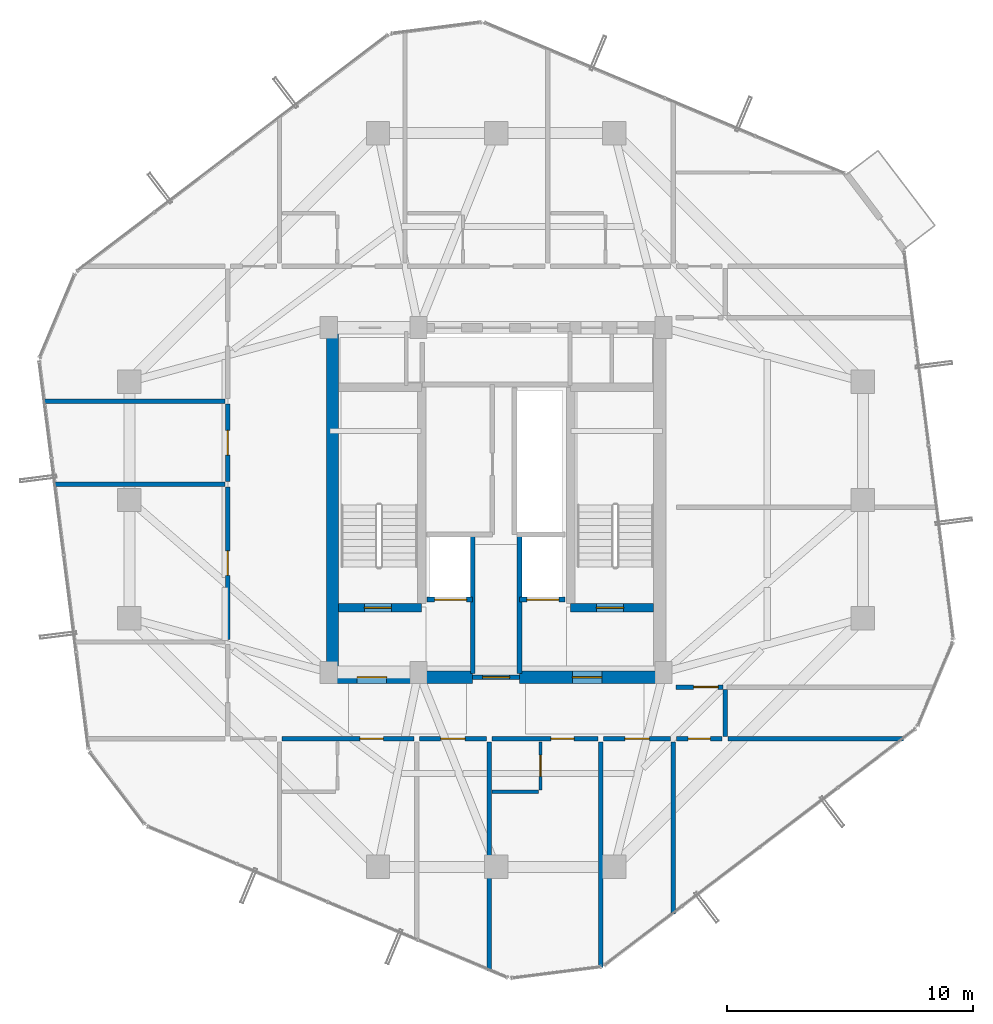
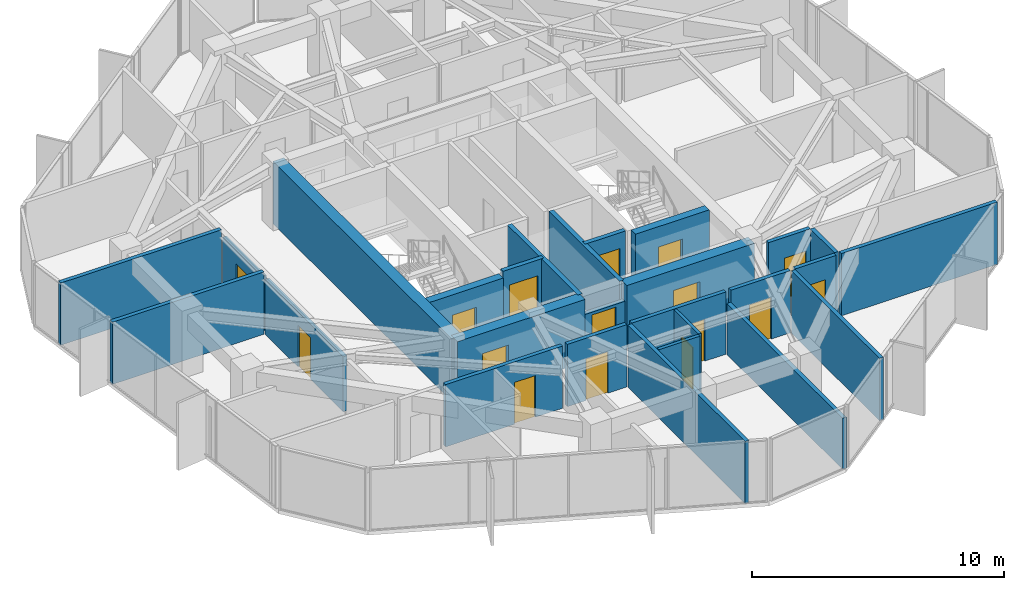
# One storey, part 28 of 32: 27 walls, 16 doors, 16 openings.
"""IFC4 building model written with IfcOpenShell, lengths in metres."""

from ifc_helpers import new_model, si_unit, direction, frame, frame_2d, origin, place, context, subcontext, project, spatial, rectangle, extrude, source, transform, mapped, material, layer, layer_set, type_object, element, fill, save


model = new_model("IFC4")

# Units and contexts
model_context = context("Model", 3, precision=1e-05, world=origin(), true_north=direction((0.0, 1.0)))
body_context = subcontext(model_context, "Body", "Model", "MODEL_VIEW")
ifc_project = project(units=[si_unit("LENGTHUNIT", "METRE"), si_unit("AREAUNIT", "SQUARE_METRE"), si_unit("VOLUMEUNIT", "CUBIC_METRE"), si_unit("PLANEANGLEUNIT", "RADIAN"), si_unit("MASSUNIT", "GRAM", prefix="KILO")], contexts=[model_context])

# Site, building, storey
site_placement = place(None, origin())
site = spatial("IfcSite", under=ifc_project, at=site_placement, CompositionType="ELEMENT")
building_placement = place(site_placement, origin())
building = spatial("IfcBuilding", under=site, at=building_placement, Name="Veraguas Prism Commons", CompositionType="ELEMENT")
storey_placement = place(building_placement, frame((0.0, 0.0, 182.10009765625)))
storey = spatial("IfcBuildingStorey", under=building, at=storey_placement, Name="L51", CompositionType="ELEMENT", Elevation=182.10009765625)

# Wall, opening, door
ifc_material_1 = material(Name="Concrete C50/60", Category="concrete")
ifc_layer_1 = layer(ifc_material_1, 0.35009765625, Name="Core Internal Shear Wall Upper RC 350", Category="concrete")
ifc_layer_set_1 = layer_set([ifc_layer_1], Name="Concrete C50/60")
wall_type_1 = type_object("IfcWallType", Name="Core Internal Shear Wall Upper RC 350", PredefinedType="SHEAR", material=ifc_layer_set_1)
wall_1_placement = place(storey_placement, frame((17.60009765625, 19.625, 0.0), z_axis=(0.0, 0.0, 1.0), x_axis=(1.0, 0.0, 0.0)))
wall_1 = element("IfcWall", 1, at=wall_1_placement, inside=storey, type_object=wall_type_1, Name="Stair ST-01 South Shear Wall L51", PredefinedType="SHEAR", context=body_context, shape_type="SweptSolid", body=[
    extrude(rectangle(XDim=3.375, YDim=0.35009765625, at=frame_2d((1.6875, 0.0))), origin(), (0.0, 0.0, 1.0), 3.014892578125),
])
opening_1_placement = place(wall_1_placement, frame((1.050048828125, 0.0, 0.0)))
opening_1 = element("IfcOpeningElement", 2, at=opening_1_placement, cuts=wall_1, Name="Opening DR-05", PredefinedType="OPENING", context=body_context, shape_type="SweptSolid", body=[
    extrude(rectangle(XDim=1.10009765625, YDim=2.030029296875, at=frame_2d((0.550048828125, 1.01513671875))), frame((0.0, 0.18505859375, 0.0), z_axis=(0.0, -1.0, 0.0), x_axis=(1.0, 0.0, 0.0)), (0.0, 0.0, 1.0), 0.3701171875),
])
ifc_material_2 = material(Name="Steel fire-rated door assembly", Category="steel")
door_type_1 = type_object("IfcDoorType", Name="Protected Stair and Refuge Fire Door 1100x2030", OperationType="NOTDEFINED", PredefinedType="DOOR", material=ifc_material_2)
shared_shape_1 = source(origin(), body_context, "Body", "SweptSolid", [
    extrude(rectangle(XDim=1.10009765625, YDim=2.030029296875, at=frame_2d((0.550048828125, 1.01513671875))), frame((0.0, 0.02490234375, 0.0), z_axis=(0.0, -1.0, 0.0), x_axis=(1.0, 0.0, 0.0)), (0.0, 0.0, 1.0), 0.050048828125),
])
door_1_placement = place(opening_1_placement, origin())
door_1 = element("IfcDoor", 3, at=door_1_placement, inside=storey, type_object=door_type_1, Name="Stair ST-01 Enclosure Door L51", OperationType="SINGLE_SWING_LEFT", OverallHeight=2.030029296875, OverallWidth=1.10009765625, PredefinedType="DOOR", context=body_context, shape_type="MappedRepresentation", body=[
    mapped(shared_shape_1, transform((0.0, 0.0, 0.0), scale=1.0)),
])
fill(opening_1, door_1)

wall_2_placement = place(storey_placement, frame((27.02490234375, 19.625, 0.0), z_axis=(0.0, 0.0, 1.0), x_axis=(1.0, 0.0, 0.0)))
wall_2 = element("IfcWall", 4, at=wall_2_placement, inside=storey, type_object=wall_type_1, Name="Stair ST-02 South Shear Wall L51", PredefinedType="SHEAR", context=body_context, shape_type="SweptSolid", body=[
    extrude(rectangle(XDim=3.375, YDim=0.35009765625, at=frame_2d((1.6875, 0.0))), origin(), (0.0, 0.0, 1.0), 3.014892578125),
])
opening_2_placement = place(wall_2_placement, frame((1.050048828125, 0.0, 0.0)))
opening_2 = element("IfcOpeningElement", 5, at=opening_2_placement, cuts=wall_2, Name="Opening DR-05", PredefinedType="OPENING", context=body_context, shape_type="SweptSolid", body=[
    extrude(rectangle(XDim=1.10009765625, YDim=2.030029296875, at=frame_2d((0.550048828125, 1.01513671875))), frame((0.0, 0.18505859375, 0.0), z_axis=(0.0, -1.0, 0.0), x_axis=(1.0, 0.0, 0.0)), (0.0, 0.0, 1.0), 0.3701171875),
])
door_2_placement = place(opening_2_placement, origin())
door_2 = element("IfcDoor", 6, at=door_2_placement, inside=storey, type_object=door_type_1, Name="Stair ST-02 Enclosure Door L51", OperationType="SINGLE_SWING_RIGHT", OverallHeight=2.030029296875, OverallWidth=1.10009765625, PredefinedType="DOOR", context=body_context, shape_type="MappedRepresentation", body=[
    mapped(shared_shape_1, transform((0.0, 0.0, 0.0), scale=1.0)),
])
fill(opening_2, door_2)

# Wall
ifc_layer_2 = layer(ifc_material_1, 0.5, Name="Core Outer Shear Wall Upper RC 500", Category="concrete")
ifc_layer_set_2 = layer_set([ifc_layer_2], Name="Concrete C50/60")
wall_type_2 = type_object("IfcWallType", Name="Core Outer Shear Wall Upper RC 500", PredefinedType="SHEAR", material=ifc_layer_set_2)
wall_3_placement = place(storey_placement, frame((17.35009765625, 16.800048828125, 0.0), z_axis=(0.0, 0.0, 1.0), x_axis=(0.0, 1.0, 0.0)))
element("IfcWall", 7, at=wall_3_placement, inside=storey, type_object=wall_type_2, Name="Central Core West Shear Wall L51", PredefinedType="SHEAR", context=body_context, shape_type="SweptSolid", body=[
    extrude(rectangle(XDim=14.199951171875, YDim=0.5, at=frame_2d((7.10009765625, 0.0))), origin(), (0.0, 0.0, 1.0), 3.014892578125),
])

# Wall, opening, door
wall_4_placement = place(storey_placement, frame((17.199951171875, 16.800048828125, 0.0), z_axis=(0.0, 0.0, 1.0), x_axis=(1.0, 0.0, 0.0)))
wall_4 = element("IfcWall", 8, at=wall_4_placement, inside=storey, type_object=wall_type_2, Name="Central Core South-West Shear Wall L51", PredefinedType="SHEAR", context=body_context, shape_type="SweptSolid", body=[
    extrude(rectangle(XDim=5.85009765625, YDim=0.5, at=frame_2d((2.925048828125, 0.0))), origin(), (0.0, 0.0, 1.0), 3.014892578125),
])
opening_3_placement = place(wall_4_placement, frame((1.14990234375, 0.0, 0.0)))
opening_3 = element("IfcOpeningElement", 9, at=opening_3_placement, cuts=wall_4, Name="Opening DR-06", PredefinedType="OPENING", context=body_context, shape_type="SweptSolid", body=[
    extrude(rectangle(XDim=1.199951171875, YDim=2.030029296875, at=frame_2d((0.60009765625, 1.01513671875))), frame((0.0, 0.260009765625, 0.0), z_axis=(0.0, -1.0, 0.0), x_axis=(1.0, 0.0, 0.0)), (0.0, 0.0, 1.0), 0.52001953125),
])
door_type_2 = type_object("IfcDoorType", Name="Firefighting Lobby Smoke Door 1200x2030", OperationType="NOTDEFINED", PredefinedType="DOOR", material=ifc_material_2)
shared_shape_2 = source(origin(), body_context, "Body", "SweptSolid", [
    extrude(rectangle(XDim=1.199951171875, YDim=2.030029296875, at=frame_2d((0.60009765625, 1.01513671875))), frame((0.0, 0.02490234375, 0.0), z_axis=(0.0, -1.0, 0.0), x_axis=(1.0, 0.0, 0.0)), (0.0, 0.0, 1.0), 0.050048828125),
])
door_3_placement = place(opening_3_placement, origin())
door_3 = element("IfcDoor", 10, at=door_3_placement, inside=storey, type_object=door_type_2, Name="West FF Lobby Door L51", OperationType="SINGLE_SWING_LEFT", OverallHeight=2.030029296875, OverallWidth=1.199951171875, PredefinedType="DOOR", context=body_context, shape_type="MappedRepresentation", body=[
    mapped(shared_shape_2, transform((0.0, 0.0, 0.0), scale=1.0)),
])
fill(opening_3, door_3)

wall_5_placement = place(storey_placement, frame((24.949951171875, 16.800048828125, 0.0), z_axis=(0.0, 0.0, 1.0), x_axis=(1.0, 0.0, 0.0)))
wall_5 = element("IfcWall", 11, at=wall_5_placement, inside=storey, type_object=wall_type_2, Name="Central Core South-East Shear Wall L51", PredefinedType="SHEAR", context=body_context, shape_type="SweptSolid", body=[
    extrude(rectangle(XDim=5.85009765625, YDim=0.5, at=frame_2d((2.925048828125, 0.0))), origin(), (0.0, 0.0, 1.0), 3.014892578125),
])
opening_4_placement = place(wall_5_placement, frame((2.14990234375, 0.0, 0.0)))
opening_4 = element("IfcOpeningElement", 12, at=opening_4_placement, cuts=wall_5, Name="Opening DR-06", PredefinedType="OPENING", context=body_context, shape_type="SweptSolid", body=[
    extrude(rectangle(XDim=1.199951171875, YDim=2.030029296875, at=frame_2d((0.60009765625, 1.01513671875))), frame((0.0, 0.260009765625, 0.0), z_axis=(0.0, -1.0, 0.0), x_axis=(1.0, 0.0, 0.0)), (0.0, 0.0, 1.0), 0.52001953125),
])
door_4_placement = place(opening_4_placement, origin())
door_4 = element("IfcDoor", 13, at=door_4_placement, inside=storey, type_object=door_type_2, Name="East FF Lobby Door L51", OperationType="SINGLE_SWING_LEFT", OverallHeight=2.030029296875, OverallWidth=1.199951171875, PredefinedType="DOOR", context=body_context, shape_type="MappedRepresentation", body=[
    mapped(shared_shape_2, transform((0.0, 0.0, 0.0), scale=1.0)),
])
fill(opening_4, door_4)

# Wall
ifc_material_3 = material(Name="Autoclaved aerated masonry block 10 MPa", Category="masonry")
ifc_layer_3 = layer(ifc_material_3, 0.179931640625, Name="Corridor and Inter-Tenancy Partition 180", Category="masonry")
ifc_layer_set_3 = layer_set([ifc_layer_3], Name="Autoclaved aerated masonry block 10 MPa")
wall_type_3 = type_object("IfcWallType", Name="Corridor and Inter-Tenancy Partition 180", PredefinedType="PARTITIONING", material=ifc_layer_set_3)
wall_6_placement = place(storey_placement, frame((31.199951171875, 14.179931640625, 0.0), z_axis=(0.0, 0.0, 1.0), x_axis=(0.0, -1.0, 0.0)))
element("IfcWall", 14, at=wall_6_placement, inside=storey, type_object=wall_type_3, Name="WL-L51-PT002", PredefinedType="PARTITIONING", context=body_context, shape_type="SweptSolid", body=[
    extrude(rectangle(XDim=6.99072265625, YDim=0.179931640625, at=frame_2d((3.495361328125, 0.0))), origin(), (0.0, 0.0, 1.0), 3.014892578125),
])

# Wall, opening, door
wall_7_placement = place(storey_placement, frame((20.8798828125, 14.300048828125, 0.0), z_axis=(0.0, 0.0, 1.0), x_axis=(1.0, 0.0, 0.0)))
wall_7 = element("IfcWall", 15, at=wall_7_placement, inside=storey, type_object=wall_type_3, Name="WL-L51-PT003", PredefinedType="PARTITIONING", context=body_context, shape_type="SweptSolid", body=[
    extrude(rectangle(XDim=2.730224609375, YDim=0.179931640625, at=frame_2d((1.365234375, 0.0))), origin(), (0.0, 0.0, 1.0), 3.014892578125),
])
opening_5_placement = place(wall_7_placement, frame((0.864990234375, 0.0, 0.0)))
opening_5 = element("IfcOpeningElement", 16, at=opening_5_placement, cuts=wall_7, Name="Opening DR-13", PredefinedType="OPENING", context=body_context, shape_type="SweptSolid", body=[
    extrude(rectangle(XDim=1.0, YDim=2.010009765625, at=frame_2d((0.5, 1.0048828125))), frame((0.0, 0.099853515625, 0.0), z_axis=(0.0, -1.0, 0.0), x_axis=(1.0, 0.0, 0.0)), (0.0, 0.0, 1.0), 0.199951171875),
])
door_type_3 = type_object("IfcDoorType", Name="Core Accessible WC and Clinic Fire Door 1000x2010", OperationType="NOTDEFINED", PredefinedType="DOOR", material=ifc_material_2)
shared_shape_3 = source(origin(), body_context, "Body", "SweptSolid", [
    extrude(rectangle(XDim=1.0, YDim=2.010009765625, at=frame_2d((0.5, 1.0048828125))), frame((0.0, 0.02490234375, 0.0), z_axis=(0.0, -1.0, 0.0), x_axis=(1.0, 0.0, 0.0)), (0.0, 0.0, 1.0), 0.050048828125),
])
door_5_placement = place(opening_5_placement, origin())
door_5 = element("IfcDoor", 17, at=door_5_placement, inside=storey, type_object=door_type_3, Name="Quiet Study S Door", OperationType="SINGLE_SWING_RIGHT", OverallHeight=2.010009765625, OverallWidth=1.0, PredefinedType="DOOR", context=body_context, shape_type="MappedRepresentation", body=[
    mapped(shared_shape_3, transform((0.0, 0.0, 0.0), scale=1.0)),
])
fill(opening_5, door_5)

wall_8_placement = place(storey_placement, frame((15.31005859375, 14.300048828125, 0.0), z_axis=(0.0, 0.0, 1.0), x_axis=(1.0, 0.0, 0.0)))
wall_8 = element("IfcWall", 18, at=wall_8_placement, inside=storey, type_object=wall_type_3, Name="WL-L51-PT005", PredefinedType="PARTITIONING", context=body_context, shape_type="SweptSolid", body=[
    extrude(rectangle(XDim=5.349853515625, YDim=0.179931640625, at=frame_2d((2.6748046875, 0.0))), origin(), (0.0, 0.0, 1.0), 3.014892578125),
])
opening_6_placement = place(wall_8_placement, frame((3.159912109375, 0.0, 0.0)))
opening_6 = element("IfcOpeningElement", 19, at=opening_6_placement, cuts=wall_8, Name="Opening DR-01", PredefinedType="OPENING", context=body_context, shape_type="SweptSolid", body=[
    extrude(rectangle(XDim=0.949951171875, YDim=2.02001953125, at=frame_2d((0.47509765625, 1.010009765625))), frame((0.0, 0.099853515625, 0.0), z_axis=(0.0, -1.0, 0.0), x_axis=(1.0, 0.0, 0.0)), (0.0, 0.0, 1.0), 0.199951171875),
])
ifc_material_4 = material(Name="Anodised aluminium EN AW-6063 T6", Category="aluminium")
door_type_4 = type_object("IfcDoorType", Name="Apartment Entrance Fire Door 950x2020", OperationType="NOTDEFINED", PredefinedType="DOOR", material=ifc_material_4)
shared_shape_4 = source(origin(), body_context, "Body", "SweptSolid", [
    extrude(rectangle(XDim=0.949951171875, YDim=2.02001953125, at=frame_2d((0.47509765625, 1.010009765625))), frame((0.0, 0.02490234375, 0.0), z_axis=(0.0, -1.0, 0.0), x_axis=(1.0, 0.0, 0.0)), (0.0, 0.0, 1.0), 0.050048828125),
])
door_6_placement = place(opening_6_placement, origin())
door_6 = element("IfcDoor", 20, at=door_6_placement, inside=storey, type_object=door_type_4, Name="Studio 51A Entrance Door", OperationType="SINGLE_SWING_LEFT", OverallHeight=2.02001953125, OverallWidth=0.949951171875, PredefinedType="DOOR", context=body_context, shape_type="MappedRepresentation", body=[
    mapped(shared_shape_4, transform((0.0, 0.0, 0.0), scale=1.0)),
])
fill(opening_6, door_6)

# Wall
wall_9_placement = place(storey_placement, frame((23.719970703125, 14.179931640625, 0.0), z_axis=(0.0, 0.0, 1.0), x_axis=(0.0, -1.0, 0.0)))
element("IfcWall", 21, at=wall_9_placement, inside=storey, type_object=wall_type_3, Name="WL-L51-PT008", PredefinedType="PARTITIONING", context=body_context, shape_type="SweptSolid", body=[
    extrude(rectangle(XDim=9.30078125, YDim=0.179931640625, at=frame_2d((4.650390625, 0.0))), origin(), (0.0, 0.0, 1.0), 3.014892578125),
])

# Wall, opening, door
wall_10_placement = place(storey_placement, frame((28.360107421875, 14.300048828125, 0.0), z_axis=(0.0, 0.0, 1.0), x_axis=(1.0, 0.0, 0.0)))
wall_10 = element("IfcWall", 22, at=wall_10_placement, inside=storey, type_object=wall_type_3, Name="WL-L51-PT009", PredefinedType="PARTITIONING", context=body_context, shape_type="SweptSolid", body=[
    extrude(rectangle(XDim=2.72998046875, YDim=0.179931640625, at=frame_2d((1.364990234375, 0.0))), origin(), (0.0, 0.0, 1.0), 3.014892578125),
])
opening_7_placement = place(wall_10_placement, frame((0.864990234375, 0.0, 0.0)))
opening_7 = element("IfcOpeningElement", 23, at=opening_7_placement, cuts=wall_10, Name="Opening DR-13", PredefinedType="OPENING", context=body_context, shape_type="SweptSolid", body=[
    extrude(rectangle(XDim=1.0, YDim=2.010009765625, at=frame_2d((0.5, 1.0048828125))), frame((0.0, 0.099853515625, 0.0), z_axis=(0.0, -1.0, 0.0), x_axis=(1.0, 0.0, 0.0)), (0.0, 0.0, 1.0), 0.199951171875),
])
door_7_placement = place(opening_7_placement, origin())
door_7 = element("IfcDoor", 24, at=door_7_placement, inside=storey, type_object=door_type_3, Name="Quiet Study S Door", OperationType="SINGLE_SWING_LEFT", OverallHeight=2.010009765625, OverallWidth=1.0, PredefinedType="DOOR", context=body_context, shape_type="MappedRepresentation", body=[
    mapped(shared_shape_3, transform((0.0, 0.0, 0.0), scale=1.0)),
])
fill(opening_7, door_7)

# Wall
wall_11_placement = place(storey_placement, frame((28.25, 14.179931640625, 0.0), z_axis=(0.0, 0.0, 1.0), x_axis=(0.0, -1.0, 0.0)))
element("IfcWall", 25, at=wall_11_placement, inside=storey, type_object=wall_type_3, Name="WL-L51-PT010", PredefinedType="PARTITIONING", context=body_context, shape_type="SweptSolid", body=[
    extrude(rectangle(XDim=9.1689453125, YDim=0.179931640625, at=frame_2d((4.58447265625, 0.0))), origin(), (0.0, 0.0, 1.0), 2.468994140625),
])

# Wall, opening, door
wall_12_placement = place(storey_placement, frame((23.830078125, 14.300048828125, 0.0), z_axis=(0.0, 0.0, 1.0), x_axis=(1.0, 0.0, 0.0)))
wall_12 = element("IfcWall", 26, at=wall_12_placement, inside=storey, type_object=wall_type_3, Name="WL-L51-PT011", PredefinedType="PARTITIONING", context=body_context, shape_type="SweptSolid", body=[
    extrude(rectangle(XDim=4.309814453125, YDim=0.179931640625, at=frame_2d((2.15478515625, 0.0))), origin(), (0.0, 0.0, 1.0), 3.014892578125),
])
opening_8_placement = place(wall_12_placement, frame((2.390380859375, 0.0, 0.0)))
opening_8 = element("IfcOpeningElement", 27, at=opening_8_placement, cuts=wall_12, Name="Opening DR-01", PredefinedType="OPENING", context=body_context, shape_type="SweptSolid", body=[
    extrude(rectangle(XDim=0.949951171875, YDim=2.02001953125, at=frame_2d((0.47509765625, 1.010009765625))), frame((0.0, 0.099853515625, 0.0), z_axis=(0.0, -1.0, 0.0), x_axis=(1.0, 0.0, 0.0)), (0.0, 0.0, 1.0), 0.199951171875),
])
door_8_placement = place(opening_8_placement, origin())
door_8 = element("IfcDoor", 28, at=door_8_placement, inside=storey, type_object=door_type_4, Name="Studio 51B Entrance Door", OperationType="SINGLE_SWING_RIGHT", OverallHeight=2.02001953125, OverallWidth=0.949951171875, PredefinedType="DOOR", context=body_context, shape_type="MappedRepresentation", body=[
    mapped(shared_shape_4, transform((0.0, 0.0, 0.0), scale=1.0)),
])
fill(opening_8, door_8)

wall_13_placement = place(storey_placement, frame((13.10009765625, 18.341064453125, 0.0), z_axis=(0.0, 0.0, 1.0), x_axis=(0.0, 1.0, 0.0)))
wall_13 = element("IfcWall", 29, at=wall_13_placement, inside=storey, type_object=wall_type_3, Name="WL-L51-PT030", PredefinedType="PARTITIONING", context=body_context, shape_type="SweptSolid", body=[
    extrude(rectangle(XDim=6.19287109375, YDim=0.179931640625, at=frame_2d((3.096435546875, 0.0))), origin(), (0.0, 0.0, 1.0), 2.661865234375),
])
opening_9_placement = place(wall_13_placement, frame((2.596435546875, 0.0, 0.0)))
opening_9 = element("IfcOpeningElement", 30, at=opening_9_placement, cuts=wall_13, Name="Opening DR-13", PredefinedType="OPENING", context=body_context, shape_type="SweptSolid", body=[
    extrude(rectangle(XDim=1.0, YDim=2.010009765625, at=frame_2d((0.5, 1.0048828125))), frame((0.0, 0.099853515625, 0.0), z_axis=(0.0, -1.0, 0.0), x_axis=(1.0, 0.0, 0.0)), (0.0, 0.0, 1.0), 0.199951171875),
])
door_9_placement = place(opening_9_placement, origin())
door_9 = element("IfcDoor", 31, at=door_9_placement, inside=storey, type_object=door_type_3, Name="Co-op Store W Door", OperationType="SINGLE_SWING_LEFT", OverallHeight=2.010009765625, OverallWidth=1.0, PredefinedType="DOOR", context=body_context, shape_type="MappedRepresentation", body=[
    mapped(shared_shape_3, transform((0.0, 0.0, 0.0), scale=1.0)),
])
fill(opening_9, door_9)

# Wall
wall_14_placement = place(storey_placement, frame((12.97998046875, 24.64404296875, 0.0), z_axis=(0.0, 0.0, 1.0), x_axis=(-1.0, 0.0, 0.0)))
element("IfcWall", 32, at=wall_14_placement, inside=storey, type_object=wall_type_3, Name="WL-L51-PT032", PredefinedType="PARTITIONING", context=body_context, shape_type="SweptSolid", body=[
    extrude(rectangle(XDim=6.944580078125, YDim=0.179931640625, at=frame_2d((3.47216796875, 0.0))), origin(), (0.0, 0.0, 1.0), 3.014892578125),
])

# Wall, opening, door
wall_15_placement = place(storey_placement, frame((13.10009765625, 24.75390625, 0.0), z_axis=(0.0, 0.0, 1.0), x_axis=(0.0, 1.0, 0.0)))
wall_15 = element("IfcWall", 33, at=wall_15_placement, inside=storey, type_object=wall_type_3, Name="WL-L51-PT033", PredefinedType="PARTITIONING", context=body_context, shape_type="SweptSolid", body=[
    extrude(rectangle(XDim=3.14501953125, YDim=0.179931640625, at=frame_2d((1.572509765625, 0.0))), origin(), (0.0, 0.0, 1.0), 2.661865234375),
])
opening_10_placement = place(wall_15_placement, frame((1.072509765625, 0.0, 0.0)))
opening_10 = element("IfcOpeningElement", 34, at=opening_10_placement, cuts=wall_15, Name="Opening DR-13", PredefinedType="OPENING", context=body_context, shape_type="SweptSolid", body=[
    extrude(rectangle(XDim=1.0, YDim=2.010009765625, at=frame_2d((0.5, 1.0048828125))), frame((0.0, 0.099853515625, 0.0), z_axis=(0.0, -1.0, 0.0), x_axis=(1.0, 0.0, 0.0)), (0.0, 0.0, 1.0), 0.199951171875),
])
door_10_placement = place(opening_10_placement, origin())
door_10 = element("IfcDoor", 35, at=door_10_placement, inside=storey, type_object=door_type_3, Name="Youth Homework Study Room Door", OperationType="SINGLE_SWING_RIGHT", OverallHeight=2.010009765625, OverallWidth=1.0, PredefinedType="DOOR", context=body_context, shape_type="MappedRepresentation", body=[
    mapped(shared_shape_3, transform((0.0, 0.0, 0.0), scale=1.0)),
])
fill(opening_10, door_10)

# Walls
wall_16_placement = place(storey_placement, frame((12.97998046875, 28.009033203125, 0.0), z_axis=(0.0, 0.0, 1.0), x_axis=(-1.0, 0.0, 0.0)))
element("IfcWall", 36, at=wall_16_placement, inside=storey, type_object=wall_type_3, Name="WL-L51-PT035", PredefinedType="PARTITIONING", context=body_context, shape_type="SweptSolid", body=[
    extrude(rectangle(XDim=7.3720703125, YDim=0.179931640625, at=frame_2d((3.68603515625, 0.0))), origin(), (0.0, 0.0, 1.0), 3.014892578125),
])
wall_17_placement = place(storey_placement, frame((33.300048828125, 14.39990234375, 0.0), z_axis=(0.0, 0.0, 1.0), x_axis=(0.0, 1.0, 0.0)))
element("IfcWall", 37, at=wall_17_placement, inside=storey, type_object=wall_type_3, Name="WL-L51-PT037", PredefinedType="PARTITIONING", context=body_context, shape_type="SweptSolid", body=[
    extrude(rectangle(XDim=1.900146484375, YDim=0.179931640625, at=frame_2d((0.9501953125, 0.0))), origin(), (0.0, 0.0, 1.0), 3.014892578125),
])

# Wall, opening, door
wall_18_placement = place(storey_placement, frame((31.300048828125, 16.39990234375, 0.0), z_axis=(0.0, 0.0, 1.0), x_axis=(1.0, 0.0, 0.0)))
wall_18 = element("IfcWall", 38, at=wall_18_placement, inside=storey, type_object=wall_type_3, Name="WL-L51-PT039", PredefinedType="PARTITIONING", context=body_context, shape_type="SweptSolid", body=[
    extrude(rectangle(XDim=1.919921875, YDim=0.179931640625, at=frame_2d((0.9599609375, 0.0))), origin(), (0.0, 0.0, 1.0), 3.014892578125),
])
opening_11_placement = place(wall_18_placement, frame((0.719970703125, 0.0, 0.0)))
opening_11 = element("IfcOpeningElement", 39, at=opening_11_placement, cuts=wall_18, Name="Opening DR-13", PredefinedType="OPENING", context=body_context, shape_type="SweptSolid", body=[
    extrude(rectangle(XDim=1.0, YDim=2.010009765625, at=frame_2d((0.5, 1.0048828125))), frame((0.0, 0.099853515625, 0.0), z_axis=(0.0, -1.0, 0.0), x_axis=(1.0, 0.0, 0.0)), (0.0, 0.0, 1.0), 0.199951171875),
])
door_11_placement = place(opening_11_placement, origin())
door_11 = element("IfcDoor", 40, at=door_11_placement, inside=storey, type_object=door_type_3, Name="Panorama Lounge Door L51", OperationType="SINGLE_SWING_RIGHT", OverallHeight=2.010009765625, OverallWidth=1.0, PredefinedType="DOOR", context=body_context, shape_type="MappedRepresentation", body=[
    mapped(shared_shape_3, transform((0.0, 0.0, 0.0), scale=1.0)),
])
fill(opening_11, door_11)

# Wall
wall_19_placement = place(storey_placement, frame((33.419921875, 14.300048828125, 0.0), z_axis=(0.0, 0.0, 1.0), x_axis=(1.0, 0.0, 0.0)))
element("IfcWall", 41, at=wall_19_placement, inside=storey, type_object=wall_type_3, Name="WL-L51-PT044", PredefinedType="PARTITIONING", context=body_context, shape_type="SweptSolid", body=[
    extrude(rectangle(XDim=7.134521484375, YDim=0.179931640625, at=frame_2d((3.5673828125, 0.0))), origin(), (0.0, 0.0, 1.0), 3.014892578125),
])

# Wall, opening, door
wall_20_placement = place(storey_placement, frame((31.320068359375, 14.300048828125, 0.0), z_axis=(0.0, 0.0, 1.0), x_axis=(1.0, 0.0, 0.0)))
wall_20 = element("IfcWall", 42, at=wall_20_placement, inside=storey, type_object=wall_type_3, Name="WL-L51-PT045", PredefinedType="PARTITIONING", context=body_context, shape_type="SweptSolid", body=[
    extrude(rectangle(XDim=1.85986328125, YDim=0.179931640625, at=frame_2d((0.929931640625, 0.0))), origin(), (0.0, 0.0, 1.0), 3.014892578125),
])
opening_12_placement = place(wall_20_placement, frame((0.47998046875, 0.0, 0.0)))
opening_12 = element("IfcOpeningElement", 43, at=opening_12_placement, cuts=wall_20, Name="Opening DR-14", PredefinedType="OPENING", context=body_context, shape_type="SweptSolid", body=[
    extrude(rectangle(XDim=0.89990234375, YDim=2.010009765625, at=frame_2d((0.449951171875, 1.0048828125))), frame((0.0, 0.099853515625, 0.0), z_axis=(0.0, -1.0, 0.0), x_axis=(1.0, 0.0, 0.0)), (0.0, 0.0, 1.0), 0.199951171875),
])
door_type_5 = type_object("IfcDoorType", Name="Core Service Room Fire Door 900x2010", OperationType="NOTDEFINED", PredefinedType="DOOR", material=ifc_material_2)
shared_shape_5 = source(origin(), body_context, "Body", "SweptSolid", [
    extrude(rectangle(XDim=0.89990234375, YDim=2.010009765625, at=frame_2d((0.449951171875, 1.0048828125))), frame((0.0, 0.02490234375, 0.0), z_axis=(0.0, -1.0, 0.0), x_axis=(1.0, 0.0, 0.0)), (0.0, 0.0, 1.0), 0.050048828125),
])
door_12_placement = place(opening_12_placement, origin())
door_12 = element("IfcDoor", 44, at=door_12_placement, inside=storey, type_object=door_type_5, Name="Residents Cycle and Pram Store SE Door", OperationType="SINGLE_SWING_LEFT", OverallHeight=2.010009765625, OverallWidth=0.89990234375, PredefinedType="DOOR", context=body_context, shape_type="MappedRepresentation", body=[
    mapped(shared_shape_5, transform((0.0, 0.0, 0.0), scale=1.0)),
])
fill(opening_12, door_12)

ifc_material_5 = material(Name="Lightweight acoustic gypsum board")
ifc_layer_4 = layer(ifc_material_5, 0.125, Name="Internal Apartment Room Partition 125")
ifc_layer_set_4 = layer_set([ifc_layer_4], Name="Lightweight acoustic gypsum board")
wall_type_4 = type_object("IfcWallType", Name="Internal Apartment Room Partition 125", PredefinedType="PARTITIONING", material=ifc_layer_set_4)
wall_21_placement = place(storey_placement, frame((25.803955078125, 14.179931640625, 0.0), z_axis=(0.0, 0.0, 1.0), x_axis=(0.0, -1.0, 0.0)))
wall_21 = element("IfcWall", 45, at=wall_21_placement, inside=storey, type_object=wall_type_4, Name="WL-L51-PT012", PredefinedType="PARTITIONING", context=body_context, shape_type="SweptSolid", body=[
    extrude(rectangle(XDim=1.949951171875, YDim=0.125, at=frame_2d((0.97509765625, 0.0))), origin(), (0.0, 0.0, 1.0), 3.014892578125),
])
opening_13_placement = place(wall_21_placement, frame((0.544921875, 0.0, 0.0)))
opening_13 = element("IfcOpeningElement", 46, at=opening_13_placement, cuts=wall_21, Name="Opening DR-03", PredefinedType="OPENING", context=body_context, shape_type="SweptSolid", body=[
    extrude(rectangle(XDim=0.860107421875, YDim=2.010009765625, at=frame_2d((0.43017578125, 1.0048828125))), frame((0.0, 0.072509765625, 0.0), z_axis=(0.0, -1.0, 0.0), x_axis=(1.0, 0.0, 0.0)), (0.0, 0.0, 1.0), 0.14501953125),
])
ifc_material_6 = material(Name="Timber moisture-resistant leaf", Category="wood")
door_type_6 = type_object("IfcDoorType", Name="Internal Bathroom Door 860x2010", OperationType="NOTDEFINED", PredefinedType="DOOR", material=ifc_material_6)
shared_shape_6 = source(origin(), body_context, "Body", "SweptSolid", [
    extrude(rectangle(XDim=0.860107421875, YDim=2.010009765625, at=frame_2d((0.43017578125, 1.0048828125))), frame((0.0, 0.02490234375, 0.0), z_axis=(0.0, -1.0, 0.0), x_axis=(1.0, 0.0, 0.0)), (0.0, 0.0, 1.0), 0.050048828125),
])
door_13_placement = place(opening_13_placement, origin())
door_13 = element("IfcDoor", 47, at=door_13_placement, inside=storey, type_object=door_type_6, Name="Studio 51B Bathroom Door", OperationType="SINGLE_SWING_LEFT", OverallHeight=2.010009765625, OverallWidth=0.860107421875, PredefinedType="DOOR", context=body_context, shape_type="MappedRepresentation", body=[
    mapped(shared_shape_6, transform((0.0, 0.0, 0.0), scale=1.0)),
])
fill(opening_13, door_13)

ifc_layer_5 = layer(ifc_material_3, 0.199951171875, Name="Rated Shaft and Lobby Block Wall 200", Category="masonry")
ifc_layer_set_5 = layer_set([ifc_layer_5], Name="Autoclaved aerated masonry block 10 MPa")
wall_type_5 = type_object("IfcWallType", Name="Rated Shaft and Lobby Block Wall 200", PredefinedType="SOLIDWALL", material=ifc_layer_set_5)
wall_22_placement = place(storey_placement, frame((23.050048828125, 16.800048828125, 0.0), z_axis=(0.0, 0.0, 1.0), x_axis=(1.0, 0.0, 0.0)))
wall_22 = element("IfcWall", 48, at=wall_22_placement, inside=storey, type_object=wall_type_5, Name="Central Core Lobby Entrance Wall L51", PredefinedType="SOLIDWALL", context=body_context, shape_type="SweptSolid", body=[
    extrude(rectangle(XDim=1.89990234375, YDim=0.199951171875, at=frame_2d((0.949951171875, 0.0))), origin(), (0.0, 0.0, 1.0), 2.164794921875),
])
opening_14_placement = place(wall_22_placement, frame((0.39990234375, 0.0, 0.0)))
opening_14 = element("IfcOpeningElement", 49, at=opening_14_placement, cuts=wall_22, Name="Opening DR-05", PredefinedType="OPENING", context=body_context, shape_type="SweptSolid", body=[
    extrude(rectangle(XDim=1.10009765625, YDim=2.030029296875, at=frame_2d((0.550048828125, 1.01513671875))), frame((0.0, 0.10986328125, 0.0), z_axis=(0.0, -1.0, 0.0), x_axis=(1.0, 0.0, 0.0)), (0.0, 0.0, 1.0), 0.219970703125),
])
door_14_placement = place(opening_14_placement, origin())
door_14 = element("IfcDoor", 50, at=door_14_placement, inside=storey, type_object=door_type_1, Name="Central Lobby Door L51", OperationType="SINGLE_SWING_RIGHT", OverallHeight=2.030029296875, OverallWidth=1.10009765625, PredefinedType="DOOR", context=body_context, shape_type="MappedRepresentation", body=[
    mapped(shared_shape_1, transform((0.0, 0.0, 0.0), scale=1.0)),
])
fill(opening_14, door_14)

wall_23_placement = place(storey_placement, frame((21.199951171875, 19.949951171875, 0.0), z_axis=(0.0, 0.0, 1.0), x_axis=(1.0, 0.0, 0.0)))
wall_23 = element("IfcWall", 51, at=wall_23_placement, inside=storey, type_object=wall_type_5, Name="Firefighting Lift FFL-1 Front Wall L51", PredefinedType="SOLIDWALL", context=body_context, shape_type="SweptSolid", body=[
    extrude(rectangle(XDim=1.85009765625, YDim=0.199951171875, at=frame_2d((0.925048828125, 0.0))), origin(), (0.0, 0.0, 1.0), 3.014892578125),
])
opening_15_placement = place(wall_23_placement, frame((0.300048828125, 0.0, 0.0)))
opening_15 = element("IfcOpeningElement", 52, at=opening_15_placement, cuts=wall_23, Name="Opening LD-02", PredefinedType="OPENING", context=body_context, shape_type="SweptSolid", body=[
    extrude(rectangle(XDim=1.300048828125, YDim=2.25, at=frame_2d((0.64990234375, 1.125))), frame((0.0, 0.10986328125, 0.0), z_axis=(0.0, -1.0, 0.0), x_axis=(1.0, 0.0, 0.0)), (0.0, 0.0, 1.0), 0.219970703125),
])
ifc_material_7 = material(Name="Stainless steel AISI 316", Category="steel")
door_type_7 = type_object("IfcDoorType", Name="Firefighting Lift Sliding Landing Door 1300x2250", OperationType="NOTDEFINED", PredefinedType="DOOR", material=ifc_material_7)
shared_shape_7 = source(origin(), body_context, "Body", "SweptSolid", [
    extrude(rectangle(XDim=1.300048828125, YDim=2.25, at=frame_2d((0.64990234375, 1.125))), frame((0.0, 0.02490234375, 0.0), z_axis=(0.0, -1.0, 0.0), x_axis=(1.0, 0.0, 0.0)), (0.0, 0.0, 1.0), 0.050048828125),
])
door_15_placement = place(opening_15_placement, origin())
door_15 = element("IfcDoor", 53, at=door_15_placement, inside=storey, type_object=door_type_7, Name="Firefighting Lift FFL-1 Landing Door L51", OperationType="SLIDING_TO_LEFT", OverallHeight=2.25, OverallWidth=1.300048828125, PredefinedType="DOOR", context=body_context, shape_type="MappedRepresentation", body=[
    mapped(shared_shape_7, transform((0.0, 0.0, 0.0), scale=1.0)),
])
fill(opening_15, door_15)

wall_24_placement = place(storey_placement, frame((24.949951171875, 19.949951171875, 0.0), z_axis=(0.0, 0.0, 1.0), x_axis=(1.0, 0.0, 0.0)))
wall_24 = element("IfcWall", 54, at=wall_24_placement, inside=storey, type_object=wall_type_5, Name="Firefighting Lift FFL-2 Front Wall L51", PredefinedType="SOLIDWALL", context=body_context, shape_type="SweptSolid", body=[
    extrude(rectangle(XDim=1.85009765625, YDim=0.199951171875, at=frame_2d((0.925048828125, 0.0))), origin(), (0.0, 0.0, 1.0), 3.014892578125),
])
opening_16_placement = place(wall_24_placement, frame((0.300048828125, 0.0, 0.0)))
opening_16 = element("IfcOpeningElement", 55, at=opening_16_placement, cuts=wall_24, Name="Opening LD-02", PredefinedType="OPENING", context=body_context, shape_type="SweptSolid", body=[
    extrude(rectangle(XDim=1.300048828125, YDim=2.25, at=frame_2d((0.64990234375, 1.125))), frame((0.0, 0.10986328125, 0.0), z_axis=(0.0, -1.0, 0.0), x_axis=(1.0, 0.0, 0.0)), (0.0, 0.0, 1.0), 0.219970703125),
])
door_16_placement = place(opening_16_placement, origin())
door_16 = element("IfcDoor", 56, at=door_16_placement, inside=storey, type_object=door_type_7, Name="Firefighting Lift FFL-2 Front Wall L51", OperationType="SLIDING_TO_LEFT", OverallHeight=2.25, OverallWidth=1.300048828125, PredefinedType="DOOR", context=body_context, shape_type="MappedRepresentation", body=[
    mapped(shared_shape_7, transform((0.0, 0.0, 0.0), scale=1.0)),
])
fill(opening_16, door_16)

# Walls
for number, where, z_axis, x_axis, name in (
    (57, (23.050048828125, 16.949951171875, 0.0), (0.0, 0.0, 1.0), (0.0, 1.0, 0.0), "West FF Lobby Divider Wall L51"),
    (58, (24.949951171875, 16.949951171875, 0.0), (0.0, 0.0, 1.0), (0.0, 1.0, 0.0), "East FF Lobby Divider Wall L51"),
):
    element("IfcWall", number, at=place(storey_placement, frame(where, z_axis=z_axis, x_axis=x_axis)), inside=storey, type_object=wall_type_5, Name=name, PredefinedType="SOLIDWALL", context=body_context, shape_type="SweptSolid", body=[
        extrude(rectangle(XDim=5.60009765625, YDim=0.199951171875, at=frame_2d((2.800048828125, 0.0))), origin(), (0.0, 0.0, 1.0), 3.014892578125),
    ])
ifc_layer_6 = layer(ifc_material_5, 0.14990234375, Name="Wet Room and Clinic Acoustic Partition 150")
ifc_layer_set_6 = layer_set([ifc_layer_6], Name="Lightweight acoustic gypsum board")
wall_type_6 = type_object("IfcWallType", Name="Wet Room and Clinic Acoustic Partition 150", PredefinedType="PARTITIONING", material=ifc_layer_set_6)
wall_25_placement = place(storey_placement, frame((23.840087890625, 12.14990234375, 0.0), z_axis=(0.0, 0.0, 1.0), x_axis=(1.0, 0.0, 0.0)))
element("IfcWall", 59, at=wall_25_placement, inside=storey, type_object=wall_type_6, Name="WL-L51-PT013", PredefinedType="PARTITIONING", context=body_context, shape_type="SweptSolid", body=[
    extrude(rectangle(XDim=1.884033203125, YDim=0.14990234375, at=frame_2d((0.94189453125, 0.0))), origin(), (0.0, 0.0, 1.0), 3.014892578125),
])

save(model, "model.ifc")
